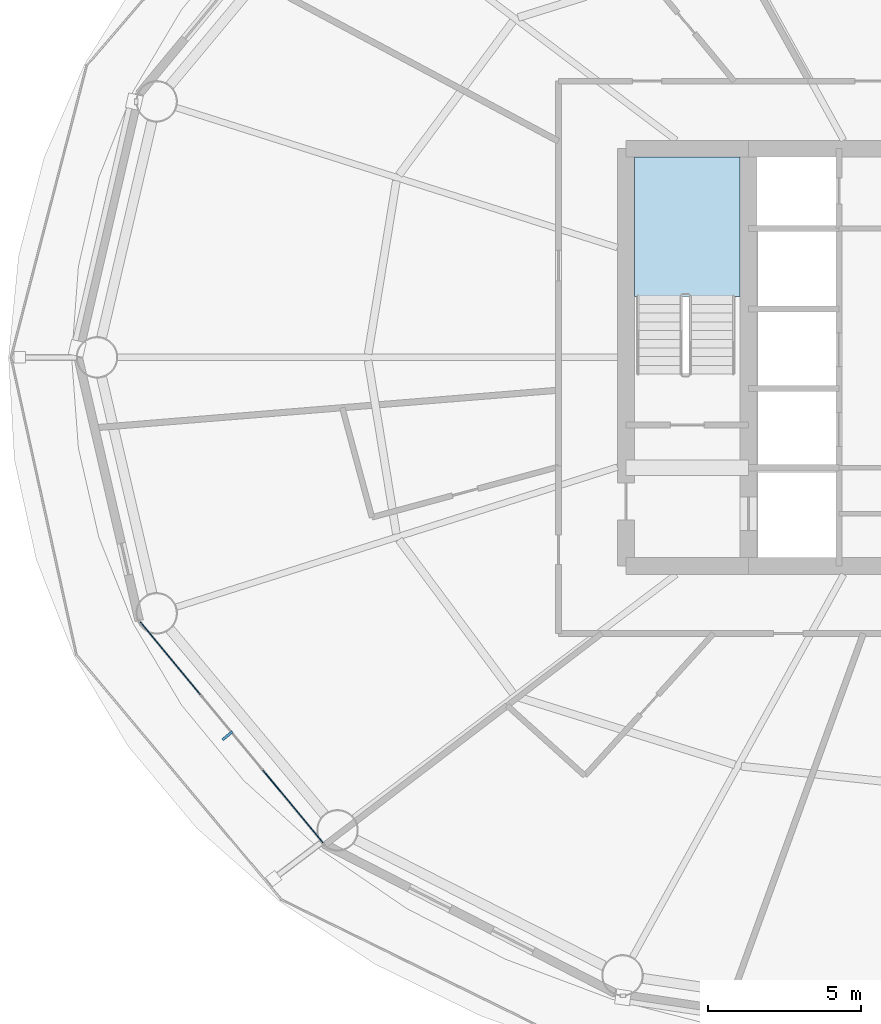
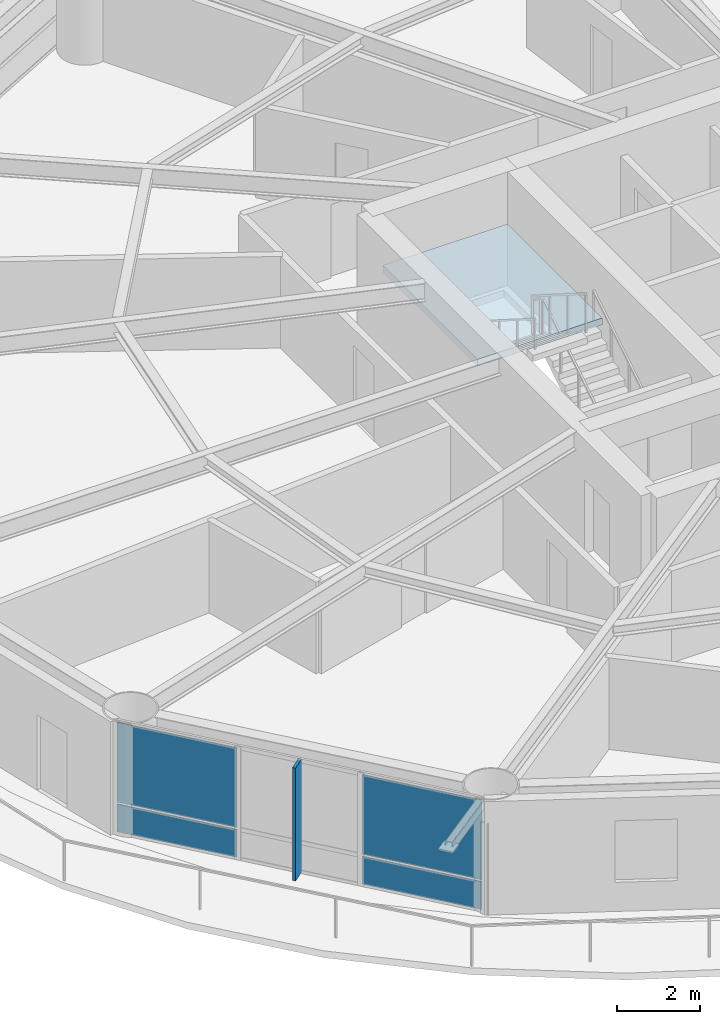
# One storey, part 14 of 24: 5 plates, 1 slab, 2 elements without a shape of their own.
"""IFC4 building model written with IfcOpenShell, lengths in metres."""

from ifc_helpers import new_model, si_unit, direction, frame, origin, origin_2d, place, context, subcontext, project, spatial, polyline, rectangle, outline, extrude, material, layer, layer_set, type_object, element, aggregate, save


model = new_model("IFC4")

# Units and contexts
model_context = context("Model", 3, precision=1e-05, world=origin(), true_north=direction((0.0, 1.0)))
body_context = subcontext(model_context, "Body", "Model", "MODEL_VIEW")
ifc_project = project(units=[si_unit("LENGTHUNIT", "METRE"), si_unit("AREAUNIT", "SQUARE_METRE"), si_unit("VOLUMEUNIT", "CUBIC_METRE"), si_unit("PLANEANGLEUNIT", "RADIAN"), si_unit("MASSUNIT", "GRAM", prefix="KILO")], contexts=[model_context])

# Site, building, storey
site_placement = place(None, origin())
site = spatial("IfcSite", under=ifc_project, at=site_placement, CompositionType="ELEMENT")
building_placement = place(site_placement, origin())
building = spatial("IfcBuilding", under=site, at=building_placement, Name="Sarneth Arch Tower", CompositionType="ELEMENT")
storey_placement = place(building_placement, frame((0.0, 0.0, 130.800048828125)))
storey = spatial("IfcBuildingStorey", under=building, at=storey_placement, Name="L33", CompositionType="ELEMENT", Elevation=130.800048828125)

# Curtain wall, plates
ifc_material_1 = material(Name="Anodised aluminium Type AA25 and solar-control low-e laminated IGU", Category="aluminium")
ifc_layer_1 = layer(ifc_material_1, 0.159912109375)
ifc_layer_set_1 = layer_set([ifc_layer_1], Name="Anodised aluminium Type AA25 and solar-control low-e laminated IGU")
curtain_wall_type = type_object("IfcCurtainWallType", Name="CW-HOTEL-MID", PredefinedType="NOTDEFINED", material=ifc_layer_set_1)
curtain_wall_placement = place(storey_placement, origin())
curtain_wall = element("IfcCurtainWall", 1, at=curtain_wall_placement, inside=storey, type_object=curtain_wall_type, Name="L33 Unitised curtain wall facet 10", PredefinedType="NOTDEFINED")
ifc_material_2 = material(Name="Solar-control low-e laminated IGU", Category="glass")
ifc_layer_2 = layer(ifc_material_2, 0.028076171875)
ifc_layer_set_2 = layer_set([ifc_layer_2], Name="Solar-control low-e laminated IGU")
plate_type_1 = type_object("IfcPlateType", Name="CW-PANEL", PredefinedType="CURTAIN_PANEL", material=ifc_layer_set_2)
plate_1_placement = place(storey_placement, frame((22.15185546875, 32.192138671875, 0.059814453125), z_axis=(0.0, 0.0, 1.0), x_axis=(0.637515188684, -0.770437787363, 0.0)))
plate_1 = element("IfcPlate", 2, at=plate_1_placement, type_object=plate_type_1, Name="Curtain wall glazed vision pane CW-L33-F10/P00-00", PredefinedType="CURTAIN_PANEL", context=body_context, shape_type="SweptSolid", body=[
    extrude(rectangle(XDim=3.058349609375, YDim=0.028076171875, at=origin_2d()), origin(), (0.0, 0.0, 1.0), 0.81005859375),
])
plate_2_placement = place(storey_placement, frame((22.15185546875, 32.192138671875, 0.929931640625), z_axis=(0.0, 0.0, 1.0), x_axis=(0.637515188684, -0.770437787363, 0.0)))
plate_2 = element("IfcPlate", 3, at=plate_2_placement, type_object=plate_type_1, Name="Curtain wall glazed vision pane CW-L33-F10/P00-01", PredefinedType="CURTAIN_PANEL", context=body_context, shape_type="SweptSolid", body=[
    extrude(rectangle(XDim=3.058349609375, YDim=0.028076171875, at=origin_2d()), origin(), (0.0, 0.0, 1.0), 2.330078125),
])
plate_3_placement = place(storey_placement, frame((26.14697265625, 27.364013671875, 0.059814453125), z_axis=(0.0, 0.0, 1.0), x_axis=(0.637515188684, -0.770437787363, 0.0)))
plate_3 = element("IfcPlate", 4, at=plate_3_placement, type_object=plate_type_1, Name="Curtain wall glazed vision pane CW-L33-F10/P02-00", PredefinedType="CURTAIN_PANEL", context=body_context, shape_type="SweptSolid", body=[
    extrude(rectangle(XDim=3.058349609375, YDim=0.028076171875, at=origin_2d()), origin(), (0.0, 0.0, 1.0), 0.81005859375),
])
plate_4_placement = place(storey_placement, frame((26.14697265625, 27.364013671875, 0.929931640625), z_axis=(0.0, 0.0, 1.0), x_axis=(0.637515188684, -0.770437787363, 0.0)))
plate_4 = element("IfcPlate", 5, at=plate_4_placement, type_object=plate_type_1, Name="Curtain wall glazed vision pane CW-L33-F10/P02-01", PredefinedType="CURTAIN_PANEL", context=body_context, shape_type="SweptSolid", body=[
    extrude(rectangle(XDim=3.058349609375, YDim=0.028076171875, at=origin_2d()), origin(), (0.0, 0.0, 1.0), 2.330078125),
])
aggregate(curtain_wall, [plate_1, plate_2, plate_3, plate_4])

# Plate
ifc_material_3 = material(Name="Extruded glazed terracotta baguette fin on Aluminium 6063-T6 carrier", Category="masonry")
ifc_layer_3 = layer(ifc_material_3, 0.080078125)
ifc_layer_set_3 = layer_set([ifc_layer_3], Name="Extruded glazed terracotta baguette fin on Aluminium 6063-T6 carrier")
plate_type_2 = type_object("IfcPlateType", Name="SHADE-TERRA-FIN", PredefinedType="SHEET", material=ifc_layer_set_3)
plate_5_placement = place(storey_placement, frame((24.018310546875, 29.669677734375, 0.009765625), z_axis=(0.0, 0.0, 1.0), x_axis=(-0.770401979567, -0.63755845997, 0.0)))
element("IfcPlate", 6, at=plate_5_placement, inside=storey, type_object=plate_type_2, Name="L33 Terracotta vertical shading fin 10", PredefinedType="SHEET", context=body_context, shape_type="SweptSolid", body=[
    extrude(rectangle(XDim=0.419921875, YDim=0.080078125, at=origin_2d()), origin(), (0.0, 0.0, 1.0), 3.300048828125),
])

# Stair, slab
ifc_material_4 = material(Name="Concrete C50/60", Category="concrete")
stair_type = type_object("IfcStairType", Name="STAIR-CORE-RC", PredefinedType="HALF_TURN_STAIR", material=ifc_material_4)
stair_placement = place(storey_placement, origin())
stair = element("IfcStair", 7, at=stair_placement, inside=storey, type_object=stair_type, Name="L33 Core Exit Stair 1", PredefinedType="HALF_TURN_STAIR")
ifc_material_5 = material(Name="Concrete C50/60", Category="concrete")
ifc_layer_4 = layer(ifc_material_5, 0.199951171875)
ifc_layer_set_4 = layer_set([ifc_layer_4], Name="Concrete C50/60")
slab_type = type_object("IfcSlabType", Name="SLAB-LANDING-200", PredefinedType="LANDING", material=ifc_layer_set_4)
slab_placement = place(storey_placement, frame((0.0, 0.0, 1.599853515625)))
slab = element("IfcSlab", 8, at=slab_placement, type_object=slab_type, Name="ST-1 landing 1", PredefinedType="LANDING", context=body_context, shape_type="SweptSolid", body=[
    extrude(outline(polyline([(37.27490234375, 43.985107421875), (40.72509765625, 43.985107421875), (40.72509765625, 48.52490234375), (37.27490234375, 48.52490234375), (37.27490234375, 43.985107421875)])), origin(), (0.0, 0.0, 1.0), 0.2001953125),
])
aggregate(stair, [slab])

save(model, "model.ifc")
